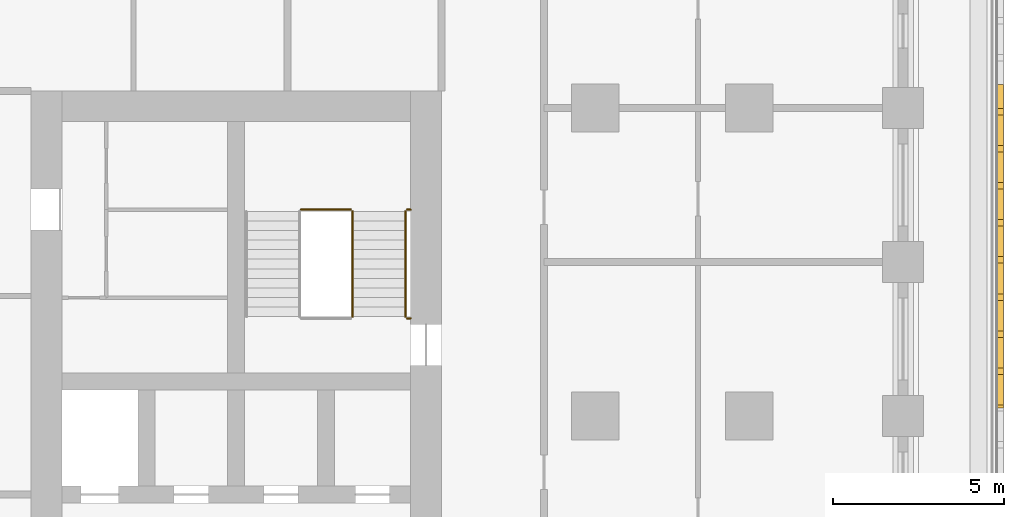
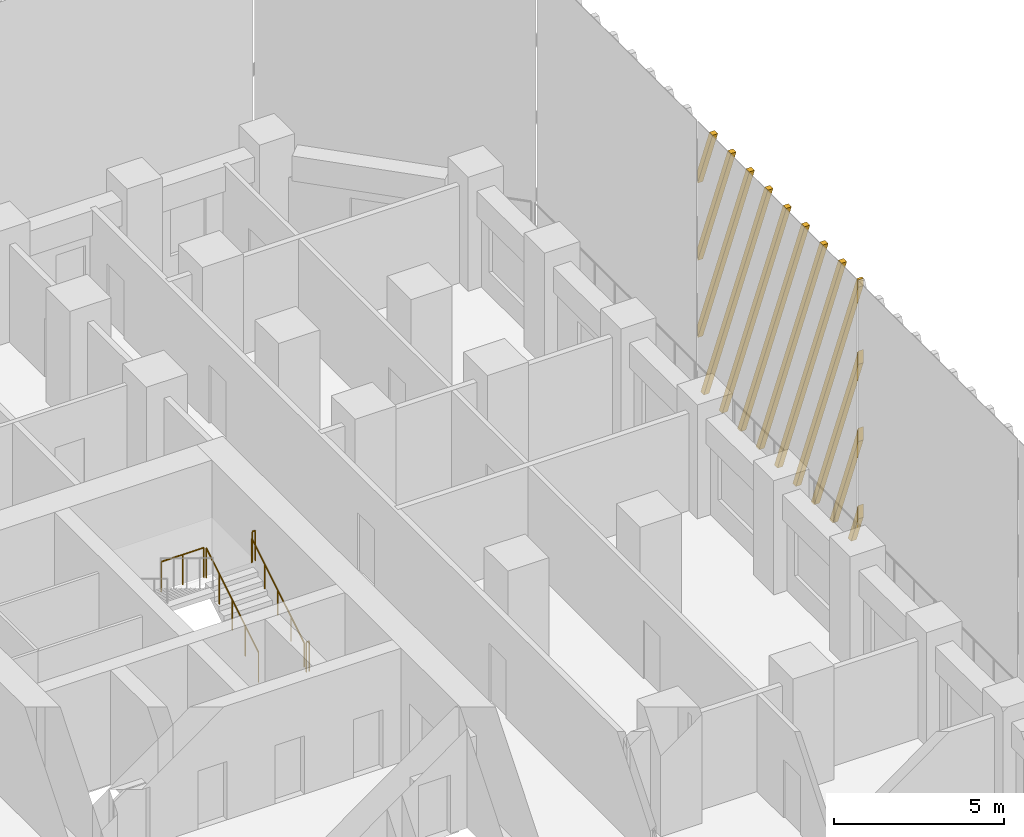
# One storey, part 18 of 20: 5 railings, 1 shading device.
"""IFC4 building model written with IfcOpenShell, lengths in metres."""

import ifcopenshell
import ifcopenshell.guid

model = None  # the IFC model being written
_history = None  # IfcOwnerHistory: only IFC2X3 demands one
_inside = {}  # id of a spatial element -> (the spatial element, [elements in it])
_under = {}  # id of a project, library or spatial element -> (it, [spatial elements below it])
_declared = {}  # id of a project -> (the project, [libraries it declares])
_typed = {}  # id of a type object -> (the type object, [elements of that type])
_made_of = {}  # id of a material, layer set ... -> (it, [elements and type objects made of it])


def new_model(schema):
    """Start an empty IFC model of exactly this schema.

    Asked for "IFC4X3", IfcOpenShell would pick the latest addendum, in which some entities
    have other attributes; the version numbers below select the first issue.
    IFC2X3 requires an IfcOwnerHistory on every rooted entity: one is made here for all.
    """
    global model, _history
    if schema == "IFC4X3":
        model = ifcopenshell.file(schema_version=(4, 3, 0, 0))
    else:
        model = ifcopenshell.file(schema=schema)
    _inside.clear()
    _under.clear()
    _declared.clear()
    _typed.clear()
    _made_of.clear()
    _history = None
    if model.schema == "IFC2X3":
        org = make("IfcOrganization", Name="unknown")
        user = make(
            "IfcPersonAndOrganization",
            ThePerson=make("IfcPerson", FamilyName="unknown"),
            TheOrganization=org,
        )
        app = make(
            "IfcApplication",
            ApplicationDeveloper=org,
            Version="unknown",
            ApplicationFullName="unknown",
            ApplicationIdentifier="unknown",
        )
        _history = make(
            "IfcOwnerHistory",
            OwningUser=user,
            OwningApplication=app,
            ChangeAction="ADDED",
            CreationDate=0,
        )
    return model


def make(cls, **values):
    """One entity of the class cls with the attributes given. An attribute that is None is left unset."""
    return model.create_entity(
        cls, **{name: value for name, value in values.items() if value is not None}
    )


def rooted(cls, **values):
    """An entity with a GlobalId (a new one), such as an element, a storey or a relation."""
    return make(cls, GlobalId=ifcopenshell.guid.new(), OwnerHistory=_history, **values)


def si_unit(unit_type, name, prefix=None):
    """IfcSIUnit, for example si_unit("LENGTHUNIT", "METRE", prefix="MILLI")."""
    return make("IfcSIUnit", UnitType=unit_type, Prefix=prefix, Name=name)


def assignment(units):
    """IfcUnitAssignment: the units of a project."""
    return None if units is None else make("IfcUnitAssignment", Units=units)


def point(xyz):
    """IfcCartesianPoint."""
    return None if xyz is None else make("IfcCartesianPoint", Coordinates=xyz)


def direction(xyz):
    """IfcDirection."""
    return None if xyz is None else make("IfcDirection", DirectionRatios=xyz)


def frame(location, z_axis=None, x_axis=None):
    """IfcAxis2Placement3D, a coordinate frame: its origin and axes. An axis left out is left unset."""
    return make(
        "IfcAxis2Placement3D",
        Location=point(location),
        Axis=direction(z_axis),
        RefDirection=direction(x_axis),
    )


def frame_2d(location, x_axis=None):
    """IfcAxis2Placement2D, a coordinate frame in the plane: its origin and x axis."""
    return make(
        "IfcAxis2Placement2D", Location=point(location), RefDirection=direction(x_axis)
    )


def origin():
    """The frame at (0, 0, 0) with its axes left unset."""
    return frame((0.0, 0.0, 0.0))


def origin_2d():
    """The frame at (0, 0) in the plane with its x axis left unset."""
    return frame_2d((0.0, 0.0))


def place(relative_to, where):
    """IfcLocalPlacement: puts the frame where relative to a parent placement (None: the world)."""
    return make(
        "IfcLocalPlacement", PlacementRelTo=relative_to, RelativePlacement=where
    )


def context(
    kind, dimensions, precision=None, world=None, true_north=None, identifier=None
):
    """IfcGeometricRepresentationContext, for example the 3D "Model" context."""
    return make(
        "IfcGeometricRepresentationContext",
        ContextIdentifier=identifier,
        ContextType=kind,
        CoordinateSpaceDimension=dimensions,
        Precision=precision,
        WorldCoordinateSystem=world,
        TrueNorth=true_north,
    )


def subcontext(parent, identifier, kind, view, scale=None):
    """IfcGeometricRepresentationSubContext, for example "Body" below "Model"."""
    return make(
        "IfcGeometricRepresentationSubContext",
        ContextIdentifier=identifier,
        ContextType=kind,
        ParentContext=parent,
        TargetScale=scale,
        TargetView=view,
    )


def project(units=None, contexts=None):
    """IfcProject with its units and contexts."""
    return rooted(
        "IfcProject",
        Name="project",
        RepresentationContexts=contexts,
        UnitsInContext=assignment(units),
    )


def spatial(cls, under=None, at=None, **own):
    """A site, building, storey or space (cls), placed at a placement, below another one or the project."""
    s = rooted(cls, ObjectPlacement=at, **own)
    if under is not None:
        _under.setdefault(under.id(), (under, []))[1].append(s)
    return s


def polyline(points):
    """IfcPolyline through the points."""
    return make("IfcPolyline", Points=[point(p) for p in points])


def profile(cls, at=None, kind="AREA", **sizes):
    """A parametric profile (cls). Its sizes go by their IFC names, for example OverallWidth=200.0."""
    return make(cls, ProfileType=kind, Position=at, **sizes)


def circle(**sizes):
    """IfcCircleProfileDef."""
    return profile("IfcCircleProfileDef", **sizes)


def outline(outer, holes=None, kind="AREA"):
    """IfcArbitraryClosedProfileDef: a profile drawn as a closed curve; with holes, ...WithVoids."""
    if holes is None:
        return make("IfcArbitraryClosedProfileDef", ProfileType=kind, OuterCurve=outer)
    return make(
        "IfcArbitraryProfileDefWithVoids",
        ProfileType=kind,
        OuterCurve=outer,
        InnerCurves=holes,
    )


def extrude(swept, where, along, depth):
    """IfcExtrudedAreaSolid: the profile swept, set in the frame where, extruded along a direction by depth."""
    return make(
        "IfcExtrudedAreaSolid",
        SweptArea=swept,
        Position=where,
        ExtrudedDirection=direction(along),
        Depth=depth,
    )


def shape(context_of_items, identifier, shape_type, items):
    """IfcShapeRepresentation: the items that make up one representation, for example the "Body"."""
    return make(
        "IfcShapeRepresentation",
        ContextOfItems=context_of_items,
        RepresentationIdentifier=identifier,
        RepresentationType=shape_type,
        Items=items,
    )


def source(mapping_origin, context_of_items, identifier, shape_type, items):
    """IfcRepresentationMap: a shape defined once, which mapped items show again and again."""
    return make(
        "IfcRepresentationMap",
        MappingOrigin=mapping_origin,
        MappedRepresentation=shape(context_of_items, identifier, shape_type, items),
    )


def transform(
    local_origin,
    x_axis=None,
    y_axis=None,
    z_axis=None,
    scale=None,
    scale2=None,
    scale3=None,
    uniform=True,
):
    """IfcCartesianTransformationOperator3D, or its non-uniform kind. x_axis, y_axis, z_axis: its Axis1, 2, 3."""
    if uniform:
        return make(
            "IfcCartesianTransformationOperator3D",
            Axis1=direction(x_axis),
            Axis2=direction(y_axis),
            LocalOrigin=point(local_origin),
            Scale=scale,
            Axis3=direction(z_axis),
        )
    return make(
        "IfcCartesianTransformationOperator3DnonUniform",
        Axis1=direction(x_axis),
        Axis2=direction(y_axis),
        LocalOrigin=point(local_origin),
        Scale=scale,
        Axis3=direction(z_axis),
        Scale2=scale2,
        Scale3=scale3,
    )


def mapped(mapping_source, mapping_target):
    """IfcMappedItem: shows the shape of a source again, moved by a transform."""
    return make(
        "IfcMappedItem", MappingSource=mapping_source, MappingTarget=mapping_target
    )


def material(Name=None, Category=None):
    """IfcMaterial."""
    return make("IfcMaterial", Name=Name, Category=Category)


def made_of(thing, what):
    """Note that an element or type object is made of a material, layer set ...; save() writes the relation."""
    if what is not None:
        _made_of.setdefault(what.id(), (what, []))[1].append(thing)
    return thing


def type_object(cls, material=None, **own):
    """A type object (cls), such as IfcWallType, which elements share."""
    return made_of(rooted(cls, **own), material)


def element(
    cls,
    number,
    at=None,
    inside=None,
    cuts=None,
    type_object=None,
    material=None,
    context=None,
    identifier="Body",
    shape_type=None,
    held_by="IfcProductDefinitionShape",
    body=None,
    shapes=None,
    **own,
):
    """One element of the class cls, such as IfcWall. Its Tag is "e" and its number.

    at: its placement. inside: the storey or other place that contains it. cuts: it is an
    opening in that element (IfcRelVoidsElement). A single representation is given by context,
    identifier, shape_type and body (its items); several are given by shapes. held_by: the class
    of the entity that holds the representations. save() writes the other relations.
    """
    e = rooted(cls, Tag="e%d" % number, ObjectPlacement=at, **own)
    if body is not None:
        shapes = [shape(context, identifier, shape_type, body)]
    if shapes is not None:
        e.Representation = make(held_by, Representations=shapes)
    if inside is not None:
        _inside.setdefault(inside.id(), (inside, []))[1].append(e)
    if cuts is not None:
        rooted(
            "IfcRelVoidsElement", RelatingBuildingElement=cuts, RelatedOpeningElement=e
        )
    if type_object is not None:
        _typed.setdefault(type_object.id(), (type_object, []))[1].append(e)
    return made_of(e, material)


def aggregate(whole, parts):
    """IfcRelAggregates: a whole, such as a stair, and the parts it consists of."""
    return rooted("IfcRelAggregates", RelatingObject=whole, RelatedObjects=parts)


def save(model, path):
    """Write the relations noted so far, then the file.

    IfcRelAggregates (storeys below a building ...), IfcRelContainedInSpatialStructure (elements
    in a storey), IfcRelDefinesByType, IfcRelAssociatesMaterial and IfcRelDeclares: one each for
    every whole, place, type object, material and project.
    """
    for whole, parts in _under.values():
        aggregate(whole, parts)
    for where, things in _inside.values():
        rooted(
            "IfcRelContainedInSpatialStructure",
            RelatedElements=things,
            RelatingStructure=where,
        )
    for kind, things in _typed.values():
        rooted("IfcRelDefinesByType", RelatedObjects=things, RelatingType=kind)
    for what, things in _made_of.values():
        rooted("IfcRelAssociatesMaterial", RelatedObjects=things, RelatingMaterial=what)
    for by, libraries in _declared.values():
        rooted("IfcRelDeclares", RelatingContext=by, RelatedDefinitions=libraries)
    model.write(path)


model = new_model("IFC4")

# Units and contexts
model_context = context("Model", 3, precision=1e-05, world=origin(), true_north=direction((0.0, 1.0)))
body_context = subcontext(model_context, "Body", "Model", "MODEL_VIEW")
ifc_project = project(units=[si_unit("LENGTHUNIT", "METRE"), si_unit("AREAUNIT", "SQUARE_METRE"), si_unit("VOLUMEUNIT", "CUBIC_METRE"), si_unit("PLANEANGLEUNIT", "RADIAN"), si_unit("MASSUNIT", "GRAM", prefix="KILO")], contexts=[model_context])

# Site, building, storey
site_placement = place(None, origin())
site = spatial("IfcSite", under=ifc_project, at=site_placement, CompositionType="ELEMENT")
building_placement = place(site_placement, origin())
building = spatial("IfcBuilding", under=site, at=building_placement, Name="Corbel Stack Research Tower", CompositionType="ELEMENT")
storey_placement = place(building_placement, frame((0.0, 0.0, 106.60009765625)))
storey = spatial("IfcBuildingStorey", under=building, at=storey_placement, Name="L24", CompositionType="ELEMENT", Elevation=106.60009765625)

# Railings
ifc_material_1 = material(Name="Steel S355", Category="steel")
railing_type_1 = type_object("IfcRailingType", Name="Stair guard 1100", PredefinedType="GUARDRAIL", material=ifc_material_1)
railing_1_placement = place(storey_placement, frame((15.39990234375, 11.89990234375, 0.170654296875)))
element("IfcRailing", 1, at=railing_1_placement, inside=storey, type_object=railing_type_1, Name="L24 ST-E2 stair guard 1", PredefinedType="GUARDRAIL", context=body_context, shape_type="SweptSolid", body=[
    extrude(circle(Radius=0.02392578125, at=origin_2d()), frame((0.0, 0.0, 1.076171875), z_axis=(0.0, 0.853666305674, 0.52082035152), x_axis=(-1.0, 0.0, 0.0)), (0.0, 0.0, 1.0), 3.608154296875),
    extrude(circle(Radius=0.02099609375, at=origin_2d()), origin(), (0.0, 0.0, 1.0), 1.052001953125),
    extrude(circle(Radius=0.02099609375, at=origin_2d()), frame((0.0, 0.77001953125, 0.4697265625)), (0.0, 0.0, 1.0), 1.052001953125),
    extrude(circle(Radius=0.02099609375, at=origin_2d()), frame((0.0, 1.5400390625, 0.939453125)), (0.0, 0.0, 1.0), 1.052001953125),
    extrude(circle(Radius=0.02099609375, at=origin_2d()), frame((0.0, 2.31005859375, 1.409423828125)), (0.0, 0.0, 1.0), 1.052001953125),
    extrude(circle(Radius=0.02099609375, at=origin_2d()), frame((0.0, 3.080078125, 1.879150390625)), (0.0, 0.0, 1.0), 1.052001953125),
])
railing_2_placement = place(storey_placement, frame((15.35009765625, 15.030029296875, 2.0498046875)))
element("IfcRailing", 2, at=railing_2_placement, inside=storey, type_object=railing_type_1, Name="L24 ST-E2 stair guard 2", PredefinedType="GUARDRAIL", context=body_context, shape_type="SweptSolid", body=[
    extrude(circle(Radius=0.02392578125, at=origin_2d()), frame((0.0, 0.0, 1.076171875), z_axis=(-1.0, 0.0, 0.0), x_axis=(0.0, -1.0, 0.0)), (0.0, 0.0, 1.0), 1.4501953125),
    extrude(circle(Radius=0.02099609375, at=origin_2d()), origin(), (0.0, 0.0, 1.0), 1.052001953125),
    extrude(circle(Radius=0.02099609375, at=origin_2d()), frame((-0.72509765625, 0.0, 0.0)), (0.0, 0.0, 1.0), 1.052001953125),
    extrude(circle(Radius=0.02099609375, at=origin_2d()), frame((-1.4501953125, 0.0, 0.0)), (0.0, 0.0, 1.0), 1.052001953125),
])
for number, where, name in (
    (3, (17.10009765625, 15.030029296875, 2.0498046875), "L24 ST-E2 stair guard 3"),
    (4, (17.10009765625, 11.85009765625, 0.0), "L24 ST-E2 stair guard 6"),
):
    element("IfcRailing", number, at=place(storey_placement, frame(where)), inside=storey, type_object=railing_type_1, Name=name, PredefinedType="GUARDRAIL", context=body_context, shape_type="SweptSolid", body=[
        extrude(circle(Radius=0.02392578125, at=origin_2d()), frame((0.0, 0.0, 1.076171875), z_axis=(-1.0, 0.0, 0.0), x_axis=(0.0, -1.0, 0.0)), (0.0, 0.0, 1.0), 0.10009765625),
        extrude(circle(Radius=0.02099609375, at=origin_2d()), origin(), (0.0, 0.0, 1.0), 1.052001953125),
        extrude(circle(Radius=0.02099609375, at=origin_2d()), frame((-0.10009765625, 0.0, 0.0)), (0.0, 0.0, 1.0), 1.052001953125),
    ])
ifc_material_2 = material(Name="Steel S355", Category="steel")
railing_type_2 = type_object("IfcRailingType", Name="Stair handrail 900", PredefinedType="HANDRAIL", material=ifc_material_2)
railing_3_placement = place(storey_placement, frame((16.949951171875, 11.89990234375, 0.170654296875)))
element("IfcRailing", 5, at=railing_3_placement, inside=storey, type_object=railing_type_2, Name="L24 ST-E2 stair handrail 1", PredefinedType="HANDRAIL", context=body_context, shape_type="SweptSolid", body=[
    extrude(circle(Radius=0.02392578125, at=origin_2d()), frame((0.0, 0.0, 0.8759765625), z_axis=(0.0, 0.853666305674, 0.52082035152), x_axis=(-1.0, 0.0, 0.0)), (0.0, 0.0, 1.0), 3.608154296875),
    extrude(circle(Radius=0.02099609375, at=origin_2d()), origin(), (0.0, 0.0, 1.0), 0.851806640625),
    extrude(circle(Radius=0.02099609375, at=origin_2d()), frame((0.0, 0.77001953125, 0.4697265625)), (0.0, 0.0, 1.0), 0.851806640625),
    extrude(circle(Radius=0.02099609375, at=origin_2d()), frame((0.0, 1.5400390625, 0.939453125)), (0.0, 0.0, 1.0), 0.851806640625),
    extrude(circle(Radius=0.02099609375, at=origin_2d()), frame((0.0, 2.31005859375, 1.409423828125)), (0.0, 0.0, 1.0), 0.851806640625),
    extrude(circle(Radius=0.02099609375, at=origin_2d()), frame((0.0, 3.080078125, 1.879150390625)), (0.0, 0.0, 1.0), 0.851806640625),
])

# Shading device
ifc_material_3 = material(Name="Precast terracotta", Category="masonry")
shading_device_type = type_object("IfcShadingDeviceType", Name="Terracotta screen panel", PredefinedType="USERDEFINED", material=ifc_material_3)
shared_shape = source(origin(), body_context, "Body", "SweptSolid", [
    extrude(outline(polyline([(0.60205078125, 0.0), (0.0, 1.541748046875), (0.0, 1.055419921875), (0.412109375, 0.0), (0.60205078125, 0.0)])), frame((0.0, 0.0, 0.0), z_axis=(0.0, -1.0, 0.0), x_axis=(1.0, 0.0, 0.0)), (0.0, 0.0, 1.0), 0.179931640625),
    extrude(outline(polyline([(1.686767578125, 0.0), (0.0, 4.319091796875), (0.0, 3.83251953125), (1.496826171875, 0.0), (1.686767578125, 0.0)])), frame((0.0, 0.0, 0.0), z_axis=(0.0, -1.0, 0.0), x_axis=(1.0, 0.0, 0.0)), (0.0, 0.0, 1.0), 0.179931640625),
    extrude(outline(polyline([(2.771484375, 0.0), (0.0, 7.096435546875), (0.0, 6.60986328125), (2.58154296875, 0.0), (2.771484375, 0.0)])), frame((0.0, 0.0, 0.0), z_axis=(0.0, -1.0, 0.0), x_axis=(1.0, 0.0, 0.0)), (0.0, 0.0, 1.0), 0.179931640625),
    extrude(outline(polyline([(3.856201171875, 0.0), (0.08740234375, 9.64990234375), (0.0, 9.64990234375), (0.0, 9.38720703125), (3.666015625, 0.0), (3.856201171875, 0.0)])), frame((0.0, 0.0, 0.0), z_axis=(0.0, -1.0, 0.0), x_axis=(1.0, 0.0, 0.0)), (0.0, 0.0, 1.0), 0.179931640625),
    extrude(outline(polyline([(4.94091796875, 0.0), (1.172119140625, 9.64990234375), (0.98193359375, 9.64990234375), (4.750732421875, 0.0), (4.94091796875, 0.0)])), frame((0.0, 0.0, 0.0), z_axis=(0.0, -1.0, 0.0), x_axis=(1.0, 0.0, 0.0)), (0.0, 0.0, 1.0), 0.179931640625),
    extrude(outline(polyline([(6.025390625, 0.0), (2.256591796875, 9.64990234375), (2.066650390625, 9.64990234375), (5.83544921875, 0.0), (6.025390625, 0.0)])), frame((0.0, 0.0, 0.0), z_axis=(0.0, -1.0, 0.0), x_axis=(1.0, 0.0, 0.0)), (0.0, 0.0, 1.0), 0.179931640625),
    extrude(outline(polyline([(7.110107421875, 0.0), (3.34130859375, 9.64990234375), (3.1513671875, 9.64990234375), (6.920166015625, 0.0), (7.110107421875, 0.0)])), frame((0.0, 0.0, 0.0), z_axis=(0.0, -1.0, 0.0), x_axis=(1.0, 0.0, 0.0)), (0.0, 0.0, 1.0), 0.179931640625),
    extrude(outline(polyline([(8.19482421875, 0.0), (4.426025390625, 9.64990234375), (4.236083984375, 9.64990234375), (8.0048828125, 0.0), (8.19482421875, 0.0)])), frame((0.0, 0.0, 0.0), z_axis=(0.0, -1.0, 0.0), x_axis=(1.0, 0.0, 0.0)), (0.0, 0.0, 1.0), 0.179931640625),
    extrude(outline(polyline([(9.279541015625, 0.0), (5.5107421875, 9.64990234375), (5.32080078125, 9.64990234375), (9.089599609375, 0.0), (9.279541015625, 0.0)])), frame((0.0, 0.0, 0.0), z_axis=(0.0, -1.0, 0.0), x_axis=(1.0, 0.0, 0.0)), (0.0, 0.0, 1.0), 0.179931640625),
    extrude(outline(polyline([(6.595458984375, 9.64990234375), (6.405517578125, 9.64990234375), (9.45556640625, 1.839599609375), (9.45556640625, 2.326171875), (6.595458984375, 9.64990234375)])), frame((0.0, 0.0, 0.0), z_axis=(0.0, -1.0, 0.0), x_axis=(1.0, 0.0, 0.0)), (0.0, 0.0, 1.0), 0.179931640625),
    extrude(outline(polyline([(7.679931640625, 9.64990234375), (7.489990234375, 9.64990234375), (9.45556640625, 4.616943359375), (9.45556640625, 5.103515625), (7.679931640625, 9.64990234375)])), frame((0.0, 0.0, 0.0), z_axis=(0.0, -1.0, 0.0), x_axis=(1.0, 0.0, 0.0)), (0.0, 0.0, 1.0), 0.179931640625),
    extrude(outline(polyline([(8.7646484375, 9.64990234375), (8.57470703125, 9.64990234375), (9.45556640625, 7.394287109375), (9.45556640625, 7.880859375), (8.7646484375, 9.64990234375)])), frame((0.0, 0.0, 0.0), z_axis=(0.0, -1.0, 0.0), x_axis=(1.0, 0.0, 0.0)), (0.0, 0.0, 1.0), 0.179931640625),
])
shading_device_placement = place(storey_placement, frame((34.25, 9.227783203125, 0.0), z_axis=(0.0, 0.0, 1.0), x_axis=(0.0, 1.0, 0.0)))
element("IfcShadingDevice", 6, at=shading_device_placement, inside=storey, type_object=shading_device_type, Name="Terracotta screen L24 E4", ObjectType="SCREEN", PredefinedType="USERDEFINED", context=body_context, shape_type="MappedRepresentation", body=[
    mapped(shared_shape, transform((0.0, 0.0, 0.0))),
])

save(model, "model.ifc")
